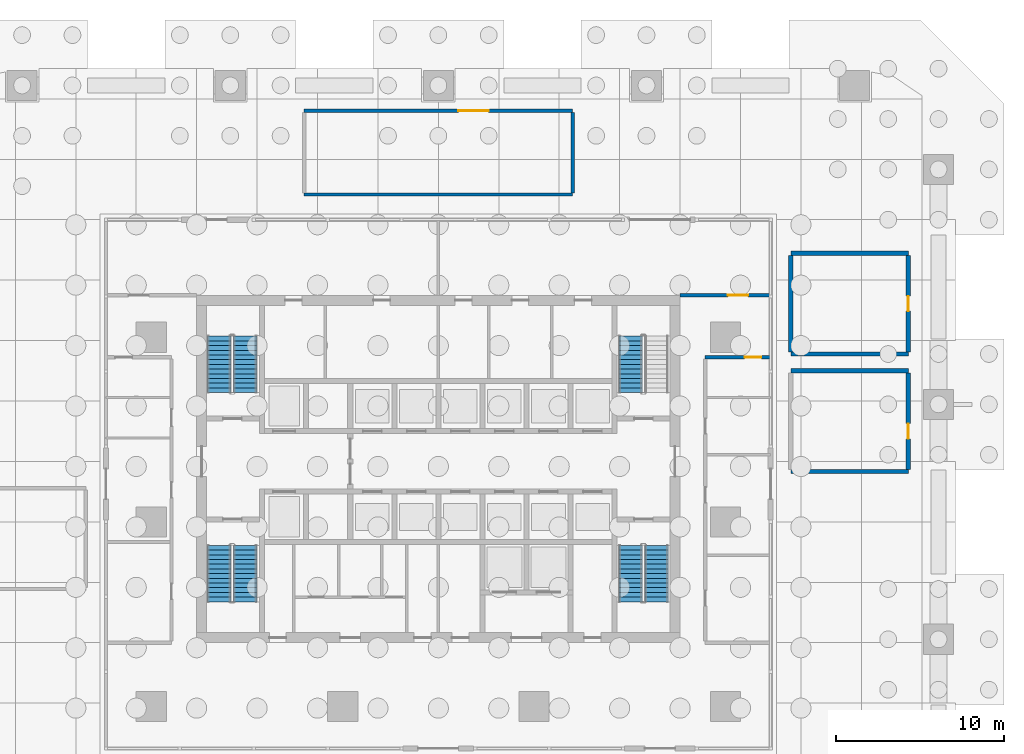
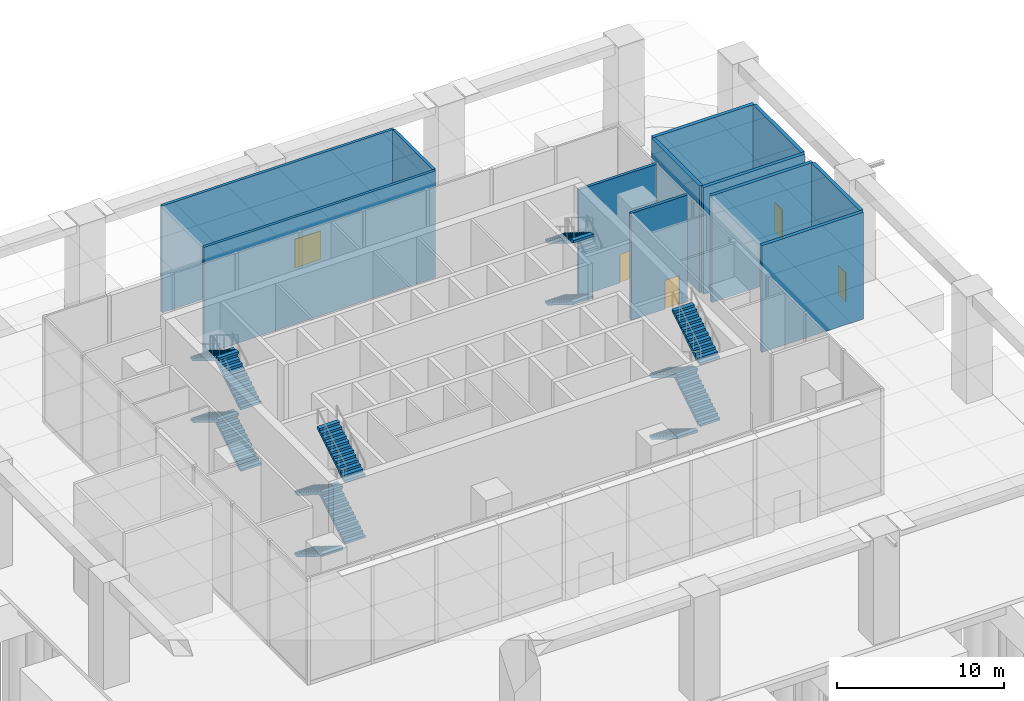
# One storey, part 9 of 18: 14 stair flights, 12 walls, 5 doors, 5 openings, 4 elements without a shape of their own.
"""IFC4 building model written with IfcOpenShell, lengths in metres."""

from ifc_helpers import new_model, si_unit, direction, frame, frame_2d, origin, place, context, subcontext, project, spatial, polyline, rectangle, outline, extrude, material, layer, layer_set, type_object, element, fill, aggregate, save


model = new_model("IFC4")

# Units and contexts
model_context = context("Model", 3, precision=1e-05, world=origin(), true_north=direction((0.0, 1.0)))
body_context = subcontext(model_context, "Body", "Model", "MODEL_VIEW")
ifc_project = project(units=[si_unit("LENGTHUNIT", "METRE"), si_unit("AREAUNIT", "SQUARE_METRE"), si_unit("VOLUMEUNIT", "CUBIC_METRE"), si_unit("PLANEANGLEUNIT", "RADIAN"), si_unit("MASSUNIT", "GRAM", prefix="KILO")], contexts=[model_context])

# Site, building, storey
site_placement = place(None, origin())
site = spatial("IfcSite", under=ifc_project, at=site_placement, CompositionType="ELEMENT")
building_placement = place(site_placement, origin())
building = spatial("IfcBuilding", under=site, at=building_placement, Name="Mopane Tessera Tower", CompositionType="ELEMENT")
storey_placement = place(building_placement, origin())
storey = spatial("IfcBuildingStorey", under=building, at=storey_placement, Name="L00", CompositionType="ELEMENT", Elevation=0.0)

# Wall, opening, door
ifc_material_1 = material(Name="Gypsum board on steel studs, two layers each face, mineral wool infill", Category="steel")
ifc_layer_1 = layer(ifc_material_1, 0.199951171875)
ifc_layer_set_1 = layer_set([ifc_layer_1], Name="Gypsum board on steel studs, two layers each face, mineral wool infill")
wall_type_1 = type_object("IfcWallType", Name="Gypsum board corridor wall 200, rated EI 60", PredefinedType="PARTITIONING", material=ifc_layer_set_1)
wall_1_placement = place(storey_placement, frame((15.89990234375, 9.800048828125, 0.0), z_axis=(0.0, 0.0, 1.0), x_axis=(1.0, 0.0, 0.0)))
wall_1 = element("IfcWall", 1, at=wall_1_placement, inside=storey, type_object=wall_type_1, Name="Partition L00:013", PredefinedType="PARTITIONING", context=body_context, shape_type="SweptSolid", body=[
    extrude(rectangle(XDim=3.900146484375, YDim=0.199951171875, at=frame_2d((1.9501953125, 0.0))), origin(), (0.0, 0.0, 1.0), 7.800048828125),
])
opening_1_placement = place(wall_1_placement, frame((2.35009765625, 0.0, 0.0)))
opening_1 = element("IfcOpeningElement", 2, at=opening_1_placement, cuts=wall_1, Name="Opening L00-03", PredefinedType="OPENING", context=body_context, shape_type="SweptSolid", body=[
    extrude(rectangle(XDim=1.0, YDim=2.10009765625, at=frame_2d((0.5, 1.050048828125))), frame((0.0, 0.112060546875, 0.0), z_axis=(0.0, -1.0, 0.0), x_axis=(1.0, 0.0, 0.0)), (0.0, 0.0, 1.0), 0.223876953125),
])
ifc_material_2 = material(Name="Timber veneered steel-framed fire door", Category="steel")
door_type_1 = type_object("IfcDoorType", Name="Fire door FD60 1000 x 2100", OperationType="SINGLE_SWING_LEFT", PredefinedType="DOOR", material=ifc_material_2)
door_1_placement = place(opening_1_placement, origin())
door_1 = element("IfcDoor", 3, at=door_1_placement, inside=storey, type_object=door_type_1, Name="Door L00-03", ObjectType="D12A", OperationType="SINGLE_SWING_LEFT", OverallHeight=2.10009765625, OverallWidth=1.0, PredefinedType="DOOR", context=body_context, shape_type="SweptSolid", body=[
    extrude(rectangle(XDim=1.0, YDim=2.10009765625, at=frame_2d((0.5, 1.050048828125))), frame((0.0, 0.02490234375, 0.0), z_axis=(0.0, -1.0, 0.0), x_axis=(1.0, 0.0, 0.0)), (0.0, 0.0, 1.0), 0.050048828125),
])
fill(opening_1, door_1)

wall_2_placement = place(storey_placement, frame((14.39990234375, 13.5, 0.0), z_axis=(0.0, 0.0, 1.0), x_axis=(1.0, 0.0, 0.0)))
wall_2 = element("IfcWall", 4, at=wall_2_placement, inside=storey, type_object=wall_type_1, Name="Partition L00:016", PredefinedType="PARTITIONING", context=body_context, shape_type="SweptSolid", body=[
    extrude(rectangle(XDim=5.400146484375, YDim=0.199951171875, at=frame_2d((2.7001953125, 0.0))), origin(), (0.0, 0.0, 1.0), 7.800048828125),
])
opening_2_placement = place(wall_2_placement, frame((2.85009765625, 0.0, 0.0)))
opening_2 = element("IfcOpeningElement", 5, at=opening_2_placement, cuts=wall_2, Name="Opening L00-09", PredefinedType="OPENING", context=body_context, shape_type="SweptSolid", body=[
    extrude(rectangle(XDim=1.199951171875, YDim=2.10009765625, at=frame_2d((0.60009765625, 1.050048828125))), frame((0.0, 0.112060546875, 0.0), z_axis=(0.0, -1.0, 0.0), x_axis=(1.0, 0.0, 0.0)), (0.0, 0.0, 1.0), 0.223876953125),
])
ifc_material_3 = material(Name="Timber veneered steel-framed fire door", Category="steel")
door_type_2 = type_object("IfcDoorType", Name="Fire door FD60 1200 x 2100", OperationType="SINGLE_SWING_LEFT", PredefinedType="DOOR", material=ifc_material_3)
door_2_placement = place(opening_2_placement, origin())
door_2 = element("IfcDoor", 6, at=door_2_placement, inside=storey, type_object=door_type_2, Name="Door L00-09", ObjectType="D15A", OperationType="SINGLE_SWING_RIGHT", OverallHeight=2.10009765625, OverallWidth=1.199951171875, PredefinedType="DOOR", context=body_context, shape_type="SweptSolid", body=[
    extrude(rectangle(XDim=1.199951171875, YDim=2.10009765625, at=frame_2d((0.60009765625, 1.050048828125))), frame((0.0, 0.02490234375, 0.0), z_axis=(0.0, -1.0, 0.0), x_axis=(1.0, 0.0, 0.0)), (0.0, 0.0, 1.0), 0.050048828125),
])
fill(opening_2, door_2)

# Wall
wall_3_placement = place(storey_placement, frame((-8.0, 19.5, 0.0), z_axis=(0.0, 0.0, 1.0), x_axis=(1.0, 0.0, 0.0)))
element("IfcWall", 7, at=wall_3_placement, inside=storey, type_object=wall_type_1, Name="Partition L00:018", PredefinedType="PARTITIONING", context=body_context, shape_type="SweptSolid", body=[
    extrude(rectangle(XDim=16.0, YDim=0.199951171875, at=frame_2d((8.0, 0.0))), origin(), (0.0, 0.0, 1.0), 7.800048828125),
])

# Wall, opening, door
wall_4_placement = place(storey_placement, frame((-8.0, 24.5, 0.0), z_axis=(0.0, 0.0, 1.0), x_axis=(1.0, 0.0, 0.0)))
wall_4 = element("IfcWall", 8, at=wall_4_placement, inside=storey, type_object=wall_type_1, Name="Partition L00:019", PredefinedType="PARTITIONING", context=body_context, shape_type="SweptSolid", body=[
    extrude(rectangle(XDim=16.0, YDim=0.199951171875, at=frame_2d((8.0, 0.0))), origin(), (0.0, 0.0, 1.0), 7.800048828125),
])
opening_3_placement = place(wall_4_placement, frame((9.199951171875, 0.0, 0.0)))
opening_3 = element("IfcOpeningElement", 9, at=opening_3_placement, cuts=wall_4, Name="Opening L00-08", PredefinedType="OPENING", context=body_context, shape_type="SweptSolid", body=[
    extrude(rectangle(XDim=1.800048828125, YDim=2.10009765625, at=frame_2d((0.89990234375, 1.050048828125))), frame((0.0, 0.112060546875, 0.0), z_axis=(0.0, -1.0, 0.0), x_axis=(1.0, 0.0, 0.0)), (0.0, 0.0, 1.0), 0.223876953125),
])
ifc_material_4 = material(Name="Timber veneered steel-framed fire door", Category="steel")
door_type_3 = type_object("IfcDoorType", Name="Fire door pair FD60 1800 x 2100", OperationType="DOUBLE_DOOR_SINGLE_SWING", PredefinedType="DOOR", material=ifc_material_4)
door_3_placement = place(opening_3_placement, origin())
door_3 = element("IfcDoor", 10, at=door_3_placement, inside=storey, type_object=door_type_3, Name="Door L00-08", ObjectType="D20A", OperationType="DOUBLE_DOOR_SINGLE_SWING", OverallHeight=2.10009765625, OverallWidth=1.800048828125, PredefinedType="DOOR", context=body_context, shape_type="SweptSolid", body=[
    extrude(rectangle(XDim=1.800048828125, YDim=2.10009765625, at=frame_2d((0.89990234375, 1.050048828125))), frame((0.0, 0.02490234375, 0.0), z_axis=(0.0, -1.0, 0.0), x_axis=(1.0, 0.0, 0.0)), (0.0, 0.0, 1.0), 0.050048828125),
])
fill(opening_3, door_3)

# Walls
wall_5_placement = place(storey_placement, frame((8.0, 19.60009765625, 0.0), z_axis=(0.0, 0.0, 1.0), x_axis=(0.0, 1.0, 0.0)))
element("IfcWall", 11, at=wall_5_placement, inside=storey, type_object=wall_type_1, Name="Partition L00:025", PredefinedType="PARTITIONING", context=body_context, shape_type="SweptSolid", body=[
    extrude(rectangle(XDim=4.7998046875, YDim=0.199951171875, at=frame_2d((2.39990234375, 0.0))), origin(), (0.0, 0.0, 1.0), 7.800048828125),
])
ifc_material_5 = material(Name="Plastered concrete blockwork C20/25", Category="masonry")
ifc_layer_2 = layer(ifc_material_5, 0.25)
ifc_layer_set_2 = layer_set([ifc_layer_2], Name="Plastered concrete blockwork C20/25")
wall_type_2 = type_object("IfcWallType", Name="Plastered blockwork wall 250, rated EI 120", PredefinedType="PARTITIONING", material=ifc_layer_set_2)
for number, where, z_axis, x_axis, name in (
    (12, (21.0, 3.0, 0.0), (0.0, 0.0, 1.0), (1.0, 0.0, 0.0), "Partition L00:006"),
    (13, (21.0, 9.0, 0.0), (0.0, 0.0, 1.0), (1.0, 0.0, 0.0), "Partition L00:011"),
    (14, (21.0, 10.0, 0.0), (0.0, 0.0, 1.0), (1.0, 0.0, 0.0), "Partition L00:014"),
    (15, (21.0, 16.0, 0.0), (0.0, 0.0, 1.0), (1.0, 0.0, 0.0), "Partition L00:017"),
):
    element("IfcWall", number, at=place(storey_placement, frame(where, z_axis=z_axis, x_axis=x_axis)), inside=storey, type_object=wall_type_2, Name=name, PredefinedType="PARTITIONING", context=body_context, shape_type="SweptSolid", body=[
        extrude(rectangle(XDim=7.0, YDim=0.25, at=frame_2d((3.5, 0.0))), origin(), (0.0, 0.0, 1.0), 7.800048828125),
    ])
wall_6_placement = place(storey_placement, frame((21.0, 10.125, 0.0), z_axis=(0.0, 0.0, 1.0), x_axis=(0.0, 1.0, 0.0)))
element("IfcWall", 16, at=wall_6_placement, inside=storey, type_object=wall_type_2, Name="Partition L00:028", PredefinedType="PARTITIONING", context=body_context, shape_type="SweptSolid", body=[
    extrude(rectangle(XDim=5.75, YDim=0.25, at=frame_2d((2.875, 0.0))), origin(), (0.0, 0.0, 1.0), 7.800048828125),
])

# Wall, opening, door
wall_7_placement = place(storey_placement, frame((28.0, 3.125, 0.0), z_axis=(0.0, 0.0, 1.0), x_axis=(0.0, 1.0, 0.0)))
wall_7 = element("IfcWall", 17, at=wall_7_placement, inside=storey, type_object=wall_type_2, Name="Partition L00:029", PredefinedType="PARTITIONING", context=body_context, shape_type="SweptSolid", body=[
    extrude(rectangle(XDim=5.75, YDim=0.25, at=frame_2d((2.875, 0.0))), origin(), (0.0, 0.0, 1.0), 7.800048828125),
])
opening_4_placement = place(wall_7_placement, frame((1.824951171875, 0.0, 0.0)))
opening_4 = element("IfcOpeningElement", 18, at=opening_4_placement, cuts=wall_7, Name="Opening L00-13", PredefinedType="OPENING", context=body_context, shape_type="SweptSolid", body=[
    extrude(rectangle(XDim=0.89990234375, YDim=2.10009765625, at=frame_2d((0.449951171875, 1.050048828125))), frame((0.0, 0.136962890625, 0.0), z_axis=(0.0, -1.0, 0.0), x_axis=(1.0, 0.0, 0.0)), (0.0, 0.0, 1.0), 0.27392578125),
])
ifc_material_6 = material(Name="Timber veneered steel-framed fire door", Category="steel")
door_type_4 = type_object("IfcDoorType", Name="Fire door FD120 900 x 2100", OperationType="SINGLE_SWING_LEFT", PredefinedType="DOOR", material=ifc_material_6)
door_4_placement = place(opening_4_placement, origin())
door_4 = element("IfcDoor", 19, at=door_4_placement, inside=storey, type_object=door_type_4, Name="Door L00-13", ObjectType="D10B", OperationType="SINGLE_SWING_LEFT", OverallHeight=2.10009765625, OverallWidth=0.89990234375, PredefinedType="DOOR", context=body_context, shape_type="SweptSolid", body=[
    extrude(rectangle(XDim=0.89990234375, YDim=2.10009765625, at=frame_2d((0.449951171875, 1.050048828125))), frame((0.0, 0.02490234375, 0.0), z_axis=(0.0, -1.0, 0.0), x_axis=(1.0, 0.0, 0.0)), (0.0, 0.0, 1.0), 0.050048828125),
])
fill(opening_4, door_4)

wall_8_placement = place(storey_placement, frame((28.0, 10.125, 0.0), z_axis=(0.0, 0.0, 1.0), x_axis=(0.0, 1.0, 0.0)))
wall_8 = element("IfcWall", 20, at=wall_8_placement, inside=storey, type_object=wall_type_2, Name="Partition L00:030", PredefinedType="PARTITIONING", context=body_context, shape_type="SweptSolid", body=[
    extrude(rectangle(XDim=5.75, YDim=0.25, at=frame_2d((2.875, 0.0))), origin(), (0.0, 0.0, 1.0), 7.800048828125),
])
opening_5_placement = place(wall_8_placement, frame((2.425048828125, 0.0, 0.0)))
opening_5 = element("IfcOpeningElement", 21, at=opening_5_placement, cuts=wall_8, Name="Opening L00-11", PredefinedType="OPENING", context=body_context, shape_type="SweptSolid", body=[
    extrude(rectangle(XDim=0.89990234375, YDim=2.10009765625, at=frame_2d((0.449951171875, 1.050048828125))), frame((0.0, 0.136962890625, 0.0), z_axis=(0.0, -1.0, 0.0), x_axis=(1.0, 0.0, 0.0)), (0.0, 0.0, 1.0), 0.27392578125),
])
door_5_placement = place(opening_5_placement, origin())
door_5 = element("IfcDoor", 22, at=door_5_placement, inside=storey, type_object=door_type_4, Name="Door L00-11", ObjectType="D10B", OperationType="SINGLE_SWING_LEFT", OverallHeight=2.10009765625, OverallWidth=0.89990234375, PredefinedType="DOOR", context=body_context, shape_type="SweptSolid", body=[
    extrude(rectangle(XDim=0.89990234375, YDim=2.10009765625, at=frame_2d((0.449951171875, 1.050048828125))), frame((0.0, 0.02490234375, 0.0), z_axis=(0.0, -1.0, 0.0), x_axis=(1.0, 0.0, 0.0)), (0.0, 0.0, 1.0), 0.050048828125),
])
fill(opening_5, door_5)

# Stair, stair flights
ifc_material_7 = material(Name="Concrete C50/60", Category="concrete")
stair_type = type_object("IfcStairType", Name="Escape stair 1400 mm, riser 173 mm", PredefinedType="HALF_TURN_STAIR", material=ifc_material_7)
stair_1_placement = place(storey_placement, origin())
stair_1 = element("IfcStair", 23, at=stair_1_placement, inside=storey, type_object=stair_type, Name="L00 Escape stair south-west", PredefinedType="HALF_TURN_STAIR")
ifc_material_8 = material(Name="Concrete C50/60", Category="concrete")
stair_flight_type = type_object("IfcStairFlightType", Name="Escape stair flight 1400 mm", PredefinedType="STRAIGHT", material=ifc_material_8)
stair_flight_1_placement = place(storey_placement, frame((-13.050048828125, -1.39990234375, 0.0), z_axis=(0.0, 0.0, 1.0), x_axis=(0.0, -1.0, 0.0)))
stair_flight_1 = element("IfcStairFlight", 24, at=stair_flight_1_placement, type_object=stair_flight_type, Name="ST1 flight 1", NumberOfRisers=13, NumberOfTreads=12, PredefinedType="STRAIGHT", RiserHeight=0.173076923, TreadLength=0.28, context=body_context, shape_type="SweptSolid", body=[
    extrude(outline(polyline([(0.0, 0.0), (0.0, 0.173095703125), (0.280029296875, 0.173095703125), (0.280029296875, 0.34619140625), (0.56005859375, 0.34619140625), (0.56005859375, 0.519287109375), (0.840087890625, 0.519287109375), (0.840087890625, 0.6923828125), (1.1201171875, 0.6923828125), (1.1201171875, 0.865478515625), (1.39990234375, 0.865478515625), (1.39990234375, 1.03857421875), (1.679931640625, 1.03857421875), (1.679931640625, 1.21142578125), (1.9599609375, 1.21142578125), (1.9599609375, 1.384521484375), (2.239990234375, 1.384521484375), (2.239990234375, 1.5576171875), (2.52001953125, 1.5576171875), (2.52001953125, 1.730712890625), (2.800048828125, 1.730712890625), (2.800048828125, 1.90380859375), (3.080078125, 1.90380859375), (3.080078125, 2.076904296875), (3.360107421875, 2.076904296875), (3.360107421875, 2.25), (3.360107421875, 1.900634765625), (0.28515625, 0.0), (0.0, 0.0)])), frame((0.0, 0.699951171875, 0.0), z_axis=(0.0, -1.0, 0.0), x_axis=(1.0, 0.0, 0.0)), (0.0, 0.0, 1.0), 1.39990234375),
])
stair_flight_2_placement = place(storey_placement, frame((-11.5, -4.760009765625, 2.25), z_axis=(0.0, 0.0, 1.0), x_axis=(0.0, 1.0, 0.0)))
stair_flight_2 = element("IfcStairFlight", 25, at=stair_flight_2_placement, type_object=stair_flight_type, Name="ST1 flight 2", NumberOfRisers=13, NumberOfTreads=12, PredefinedType="STRAIGHT", RiserHeight=0.173076923, TreadLength=0.28, context=body_context, shape_type="SweptSolid", body=[
    extrude(outline(polyline([(0.0, 0.0), (0.0, 0.173095703125), (0.280029296875, 0.173095703125), (0.280029296875, 0.34619140625), (0.56005859375, 0.34619140625), (0.56005859375, 0.519287109375), (0.840087890625, 0.519287109375), (0.840087890625, 0.6923828125), (1.1201171875, 0.6923828125), (1.1201171875, 0.865478515625), (1.39990234375, 0.865478515625), (1.39990234375, 1.03857421875), (1.679931640625, 1.03857421875), (1.679931640625, 1.21142578125), (1.9599609375, 1.21142578125), (1.9599609375, 1.384521484375), (2.239990234375, 1.384521484375), (2.239990234375, 1.5576171875), (2.52001953125, 1.5576171875), (2.52001953125, 1.730712890625), (2.800048828125, 1.730712890625), (2.800048828125, 1.90380859375), (3.080078125, 1.90380859375), (3.080078125, 2.076904296875), (3.360107421875, 2.076904296875), (3.360107421875, 2.25), (3.360107421875, 1.900634765625), (0.28515625, 0.0), (0.0, 0.0)])), frame((0.0, 0.699951171875, 0.0), z_axis=(0.0, -1.0, 0.0), x_axis=(1.0, 0.0, 0.0)), (0.0, 0.0, 1.0), 1.39990234375),
])
stair_flight_3_placement = place(storey_placement, frame((-13.050048828125, -1.39990234375, 4.5), z_axis=(0.0, 0.0, 1.0), x_axis=(0.0, -1.0, 0.0)))
stair_flight_3 = element("IfcStairFlight", 26, at=stair_flight_3_placement, type_object=stair_flight_type, Name="ST1 flight 3", NumberOfRisers=13, NumberOfTreads=12, PredefinedType="STRAIGHT", RiserHeight=0.173076923, TreadLength=0.28, context=body_context, shape_type="SweptSolid", body=[
    extrude(outline(polyline([(0.0, 0.0), (0.0, 0.173095703125), (0.280029296875, 0.173095703125), (0.280029296875, 0.34619140625), (0.56005859375, 0.34619140625), (0.56005859375, 0.519287109375), (0.840087890625, 0.519287109375), (0.840087890625, 0.6923828125), (1.1201171875, 0.6923828125), (1.1201171875, 0.865478515625), (1.39990234375, 0.865478515625), (1.39990234375, 1.03857421875), (1.679931640625, 1.03857421875), (1.679931640625, 1.21142578125), (1.9599609375, 1.21142578125), (1.9599609375, 1.384521484375), (2.239990234375, 1.384521484375), (2.239990234375, 1.5576171875), (2.52001953125, 1.5576171875), (2.52001953125, 1.730712890625), (2.800048828125, 1.730712890625), (2.800048828125, 1.90380859375), (3.080078125, 1.90380859375), (3.080078125, 2.076904296875), (3.360107421875, 2.076904296875), (3.360107421875, 2.25), (3.360107421875, 1.900634765625), (0.28515625, 0.0), (0.0, 0.0)])), frame((0.0, 0.699951171875, 0.0), z_axis=(0.0, -1.0, 0.0), x_axis=(1.0, 0.0, 0.0)), (0.0, 0.0, 1.0), 1.39990234375),
])
stair_flight_4_placement = place(storey_placement, frame((-11.5, -4.760009765625, 6.75), z_axis=(0.0, 0.0, 1.0), x_axis=(0.0, 1.0, 0.0)))
stair_flight_4 = element("IfcStairFlight", 27, at=stair_flight_4_placement, type_object=stair_flight_type, Name="ST1 flight 4", NumberOfRisers=13, NumberOfTreads=12, PredefinedType="STRAIGHT", RiserHeight=0.173076923, TreadLength=0.28, context=body_context, shape_type="SweptSolid", body=[
    extrude(outline(polyline([(0.0, 0.0), (0.0, 0.173095703125), (0.280029296875, 0.173095703125), (0.280029296875, 0.34619140625), (0.56005859375, 0.34619140625), (0.56005859375, 0.519287109375), (0.840087890625, 0.519287109375), (0.840087890625, 0.6923828125), (1.1201171875, 0.6923828125), (1.1201171875, 0.865478515625), (1.39990234375, 0.865478515625), (1.39990234375, 1.03857421875), (1.679931640625, 1.03857421875), (1.679931640625, 1.21142578125), (1.9599609375, 1.21142578125), (1.9599609375, 1.384521484375), (2.239990234375, 1.384521484375), (2.239990234375, 1.5576171875), (2.52001953125, 1.5576171875), (2.52001953125, 1.730712890625), (2.800048828125, 1.730712890625), (2.800048828125, 1.90380859375), (3.080078125, 1.90380859375), (3.080078125, 2.076904296875), (3.360107421875, 2.076904296875), (3.360107421875, 2.25), (3.360107421875, 1.900634765625), (0.28515625, 0.0), (0.0, 0.0)])), frame((0.0, 0.699951171875, 0.0), z_axis=(0.0, -1.0, 0.0), x_axis=(1.0, 0.0, 0.0)), (0.0, 0.0, 1.0), 1.39990234375),
])
aggregate(stair_1, [stair_flight_1, stair_flight_2, stair_flight_3, stair_flight_4])

stair_2_placement = place(storey_placement, origin())
stair_2 = element("IfcStair", 28, at=stair_2_placement, inside=storey, type_object=stair_type, Name="L00 Escape stair north-west", PredefinedType="HALF_TURN_STAIR")
stair_flight_5_placement = place(storey_placement, frame((-11.5, 7.699951171875, 0.0), z_axis=(0.0, 0.0, 1.0), x_axis=(0.0, 1.0, 0.0)))
stair_flight_5 = element("IfcStairFlight", 29, at=stair_flight_5_placement, type_object=stair_flight_type, Name="ST2 flight 1", NumberOfRisers=13, NumberOfTreads=12, PredefinedType="STRAIGHT", RiserHeight=0.173076923, TreadLength=0.28, context=body_context, shape_type="SweptSolid", body=[
    extrude(outline(polyline([(0.0, 0.0), (0.0, 0.173095703125), (0.280029296875, 0.173095703125), (0.280029296875, 0.34619140625), (0.56005859375, 0.34619140625), (0.56005859375, 0.519287109375), (0.840087890625, 0.519287109375), (0.840087890625, 0.6923828125), (1.1201171875, 0.6923828125), (1.1201171875, 0.865478515625), (1.39990234375, 0.865478515625), (1.39990234375, 1.03857421875), (1.679931640625, 1.03857421875), (1.679931640625, 1.21142578125), (1.9599609375, 1.21142578125), (1.9599609375, 1.384521484375), (2.239990234375, 1.384521484375), (2.239990234375, 1.5576171875), (2.52001953125, 1.5576171875), (2.52001953125, 1.730712890625), (2.800048828125, 1.730712890625), (2.800048828125, 1.90380859375), (3.080078125, 1.90380859375), (3.080078125, 2.076904296875), (3.360107421875, 2.076904296875), (3.360107421875, 2.25), (3.360107421875, 1.900634765625), (0.28515625, 0.0), (0.0, 0.0)])), frame((0.0, 0.699951171875, 0.0), z_axis=(0.0, -1.0, 0.0), x_axis=(1.0, 0.0, 0.0)), (0.0, 0.0, 1.0), 1.39990234375),
])
stair_flight_6_placement = place(storey_placement, frame((-13.050048828125, 11.06005859375, 2.25), z_axis=(0.0, 0.0, 1.0), x_axis=(0.0, -1.0, 0.0)))
stair_flight_6 = element("IfcStairFlight", 30, at=stair_flight_6_placement, type_object=stair_flight_type, Name="ST2 flight 2", NumberOfRisers=13, NumberOfTreads=12, PredefinedType="STRAIGHT", RiserHeight=0.173076923, TreadLength=0.28, context=body_context, shape_type="SweptSolid", body=[
    extrude(outline(polyline([(0.0, 0.0), (0.0, 0.173095703125), (0.280029296875, 0.173095703125), (0.280029296875, 0.34619140625), (0.56005859375, 0.34619140625), (0.56005859375, 0.519287109375), (0.840087890625, 0.519287109375), (0.840087890625, 0.6923828125), (1.1201171875, 0.6923828125), (1.1201171875, 0.865478515625), (1.39990234375, 0.865478515625), (1.39990234375, 1.03857421875), (1.679931640625, 1.03857421875), (1.679931640625, 1.21142578125), (1.9599609375, 1.21142578125), (1.9599609375, 1.384521484375), (2.239990234375, 1.384521484375), (2.239990234375, 1.5576171875), (2.52001953125, 1.5576171875), (2.52001953125, 1.730712890625), (2.800048828125, 1.730712890625), (2.800048828125, 1.90380859375), (3.080078125, 1.90380859375), (3.080078125, 2.076904296875), (3.360107421875, 2.076904296875), (3.360107421875, 2.25), (3.360107421875, 1.900634765625), (0.28515625, 0.0), (0.0, 0.0)])), frame((0.0, 0.699951171875, 0.0), z_axis=(0.0, -1.0, 0.0), x_axis=(1.0, 0.0, 0.0)), (0.0, 0.0, 1.0), 1.39990234375),
])
stair_flight_7_placement = place(storey_placement, frame((-11.5, 7.699951171875, 4.5), z_axis=(0.0, 0.0, 1.0), x_axis=(0.0, 1.0, 0.0)))
stair_flight_7 = element("IfcStairFlight", 31, at=stair_flight_7_placement, type_object=stair_flight_type, Name="ST2 flight 3", NumberOfRisers=13, NumberOfTreads=12, PredefinedType="STRAIGHT", RiserHeight=0.173076923, TreadLength=0.28, context=body_context, shape_type="SweptSolid", body=[
    extrude(outline(polyline([(0.0, 0.0), (0.0, 0.173095703125), (0.280029296875, 0.173095703125), (0.280029296875, 0.34619140625), (0.56005859375, 0.34619140625), (0.56005859375, 0.519287109375), (0.840087890625, 0.519287109375), (0.840087890625, 0.6923828125), (1.1201171875, 0.6923828125), (1.1201171875, 0.865478515625), (1.39990234375, 0.865478515625), (1.39990234375, 1.03857421875), (1.679931640625, 1.03857421875), (1.679931640625, 1.21142578125), (1.9599609375, 1.21142578125), (1.9599609375, 1.384521484375), (2.239990234375, 1.384521484375), (2.239990234375, 1.5576171875), (2.52001953125, 1.5576171875), (2.52001953125, 1.730712890625), (2.800048828125, 1.730712890625), (2.800048828125, 1.90380859375), (3.080078125, 1.90380859375), (3.080078125, 2.076904296875), (3.360107421875, 2.076904296875), (3.360107421875, 2.25), (3.360107421875, 1.900634765625), (0.28515625, 0.0), (0.0, 0.0)])), frame((0.0, 0.699951171875, 0.0), z_axis=(0.0, -1.0, 0.0), x_axis=(1.0, 0.0, 0.0)), (0.0, 0.0, 1.0), 1.39990234375),
])
stair_flight_8_placement = place(storey_placement, frame((-13.050048828125, 11.06005859375, 6.75), z_axis=(0.0, 0.0, 1.0), x_axis=(0.0, -1.0, 0.0)))
stair_flight_8 = element("IfcStairFlight", 32, at=stair_flight_8_placement, type_object=stair_flight_type, Name="ST2 flight 4", NumberOfRisers=13, NumberOfTreads=12, PredefinedType="STRAIGHT", RiserHeight=0.173076923, TreadLength=0.28, context=body_context, shape_type="SweptSolid", body=[
    extrude(outline(polyline([(0.0, 0.0), (0.0, 0.173095703125), (0.280029296875, 0.173095703125), (0.280029296875, 0.34619140625), (0.56005859375, 0.34619140625), (0.56005859375, 0.519287109375), (0.840087890625, 0.519287109375), (0.840087890625, 0.6923828125), (1.1201171875, 0.6923828125), (1.1201171875, 0.865478515625), (1.39990234375, 0.865478515625), (1.39990234375, 1.03857421875), (1.679931640625, 1.03857421875), (1.679931640625, 1.21142578125), (1.9599609375, 1.21142578125), (1.9599609375, 1.384521484375), (2.239990234375, 1.384521484375), (2.239990234375, 1.5576171875), (2.52001953125, 1.5576171875), (2.52001953125, 1.730712890625), (2.800048828125, 1.730712890625), (2.800048828125, 1.90380859375), (3.080078125, 1.90380859375), (3.080078125, 2.076904296875), (3.360107421875, 2.076904296875), (3.360107421875, 2.25), (3.360107421875, 1.900634765625), (0.28515625, 0.0), (0.0, 0.0)])), frame((0.0, 0.699951171875, 0.0), z_axis=(0.0, -1.0, 0.0), x_axis=(1.0, 0.0, 0.0)), (0.0, 0.0, 1.0), 1.39990234375),
])
aggregate(stair_2, [stair_flight_5, stair_flight_6, stair_flight_7, stair_flight_8])

stair_3_placement = place(storey_placement, origin())
stair_3 = element("IfcStair", 33, at=stair_3_placement, inside=storey, type_object=stair_type, Name="L00 Escape stair south-east", PredefinedType="HALF_TURN_STAIR")
stair_flight_9_placement = place(storey_placement, frame((11.449951171875, -1.39990234375, 0.0), z_axis=(0.0, 0.0, 1.0), x_axis=(0.0, -1.0, 0.0)))
stair_flight_9 = element("IfcStairFlight", 34, at=stair_flight_9_placement, type_object=stair_flight_type, Name="ST3 flight 1", NumberOfRisers=13, NumberOfTreads=12, PredefinedType="STRAIGHT", RiserHeight=0.173076923, TreadLength=0.28, context=body_context, shape_type="SweptSolid", body=[
    extrude(outline(polyline([(0.0, 0.0), (0.0, 0.173095703125), (0.280029296875, 0.173095703125), (0.280029296875, 0.34619140625), (0.56005859375, 0.34619140625), (0.56005859375, 0.519287109375), (0.840087890625, 0.519287109375), (0.840087890625, 0.6923828125), (1.1201171875, 0.6923828125), (1.1201171875, 0.865478515625), (1.39990234375, 0.865478515625), (1.39990234375, 1.03857421875), (1.679931640625, 1.03857421875), (1.679931640625, 1.21142578125), (1.9599609375, 1.21142578125), (1.9599609375, 1.384521484375), (2.239990234375, 1.384521484375), (2.239990234375, 1.5576171875), (2.52001953125, 1.5576171875), (2.52001953125, 1.730712890625), (2.800048828125, 1.730712890625), (2.800048828125, 1.90380859375), (3.080078125, 1.90380859375), (3.080078125, 2.076904296875), (3.360107421875, 2.076904296875), (3.360107421875, 2.25), (3.360107421875, 1.900634765625), (0.28515625, 0.0), (0.0, 0.0)])), frame((0.0, 0.699951171875, 0.0), z_axis=(0.0, -1.0, 0.0), x_axis=(1.0, 0.0, 0.0)), (0.0, 0.0, 1.0), 1.39990234375),
])
stair_flight_10_placement = place(storey_placement, frame((13.0, -4.760009765625, 2.25), z_axis=(0.0, 0.0, 1.0), x_axis=(0.0, 1.0, 0.0)))
stair_flight_10 = element("IfcStairFlight", 35, at=stair_flight_10_placement, type_object=stair_flight_type, Name="ST3 flight 2", NumberOfRisers=13, NumberOfTreads=12, PredefinedType="STRAIGHT", RiserHeight=0.173076923, TreadLength=0.28, context=body_context, shape_type="SweptSolid", body=[
    extrude(outline(polyline([(0.0, 0.0), (0.0, 0.173095703125), (0.280029296875, 0.173095703125), (0.280029296875, 0.34619140625), (0.56005859375, 0.34619140625), (0.56005859375, 0.519287109375), (0.840087890625, 0.519287109375), (0.840087890625, 0.6923828125), (1.1201171875, 0.6923828125), (1.1201171875, 0.865478515625), (1.39990234375, 0.865478515625), (1.39990234375, 1.03857421875), (1.679931640625, 1.03857421875), (1.679931640625, 1.21142578125), (1.9599609375, 1.21142578125), (1.9599609375, 1.384521484375), (2.239990234375, 1.384521484375), (2.239990234375, 1.5576171875), (2.52001953125, 1.5576171875), (2.52001953125, 1.730712890625), (2.800048828125, 1.730712890625), (2.800048828125, 1.90380859375), (3.080078125, 1.90380859375), (3.080078125, 2.076904296875), (3.360107421875, 2.076904296875), (3.360107421875, 2.25), (3.360107421875, 1.900634765625), (0.28515625, 0.0), (0.0, 0.0)])), frame((0.0, 0.699951171875, 0.0), z_axis=(0.0, -1.0, 0.0), x_axis=(1.0, 0.0, 0.0)), (0.0, 0.0, 1.0), 1.39990234375),
])
stair_flight_11_placement = place(storey_placement, frame((11.449951171875, -1.39990234375, 4.5), z_axis=(0.0, 0.0, 1.0), x_axis=(0.0, -1.0, 0.0)))
stair_flight_11 = element("IfcStairFlight", 36, at=stair_flight_11_placement, type_object=stair_flight_type, Name="ST3 flight 3", NumberOfRisers=13, NumberOfTreads=12, PredefinedType="STRAIGHT", RiserHeight=0.173076923, TreadLength=0.28, context=body_context, shape_type="SweptSolid", body=[
    extrude(outline(polyline([(0.0, 0.0), (0.0, 0.173095703125), (0.280029296875, 0.173095703125), (0.280029296875, 0.34619140625), (0.56005859375, 0.34619140625), (0.56005859375, 0.519287109375), (0.840087890625, 0.519287109375), (0.840087890625, 0.6923828125), (1.1201171875, 0.6923828125), (1.1201171875, 0.865478515625), (1.39990234375, 0.865478515625), (1.39990234375, 1.03857421875), (1.679931640625, 1.03857421875), (1.679931640625, 1.21142578125), (1.9599609375, 1.21142578125), (1.9599609375, 1.384521484375), (2.239990234375, 1.384521484375), (2.239990234375, 1.5576171875), (2.52001953125, 1.5576171875), (2.52001953125, 1.730712890625), (2.800048828125, 1.730712890625), (2.800048828125, 1.90380859375), (3.080078125, 1.90380859375), (3.080078125, 2.076904296875), (3.360107421875, 2.076904296875), (3.360107421875, 2.25), (3.360107421875, 1.900634765625), (0.28515625, 0.0), (0.0, 0.0)])), frame((0.0, 0.699951171875, 0.0), z_axis=(0.0, -1.0, 0.0), x_axis=(1.0, 0.0, 0.0)), (0.0, 0.0, 1.0), 1.39990234375),
])
stair_flight_12_placement = place(storey_placement, frame((13.0, -4.760009765625, 6.75), z_axis=(0.0, 0.0, 1.0), x_axis=(0.0, 1.0, 0.0)))
stair_flight_12 = element("IfcStairFlight", 37, at=stair_flight_12_placement, type_object=stair_flight_type, Name="ST3 flight 4", NumberOfRisers=13, NumberOfTreads=12, PredefinedType="STRAIGHT", RiserHeight=0.173076923, TreadLength=0.28, context=body_context, shape_type="SweptSolid", body=[
    extrude(outline(polyline([(0.0, 0.0), (0.0, 0.173095703125), (0.280029296875, 0.173095703125), (0.280029296875, 0.34619140625), (0.56005859375, 0.34619140625), (0.56005859375, 0.519287109375), (0.840087890625, 0.519287109375), (0.840087890625, 0.6923828125), (1.1201171875, 0.6923828125), (1.1201171875, 0.865478515625), (1.39990234375, 0.865478515625), (1.39990234375, 1.03857421875), (1.679931640625, 1.03857421875), (1.679931640625, 1.21142578125), (1.9599609375, 1.21142578125), (1.9599609375, 1.384521484375), (2.239990234375, 1.384521484375), (2.239990234375, 1.5576171875), (2.52001953125, 1.5576171875), (2.52001953125, 1.730712890625), (2.800048828125, 1.730712890625), (2.800048828125, 1.90380859375), (3.080078125, 1.90380859375), (3.080078125, 2.076904296875), (3.360107421875, 2.076904296875), (3.360107421875, 2.25), (3.360107421875, 1.900634765625), (0.28515625, 0.0), (0.0, 0.0)])), frame((0.0, 0.699951171875, 0.0), z_axis=(0.0, -1.0, 0.0), x_axis=(1.0, 0.0, 0.0)), (0.0, 0.0, 1.0), 1.39990234375),
])
aggregate(stair_3, [stair_flight_9, stair_flight_10, stair_flight_11, stair_flight_12])

stair_4_placement = place(storey_placement, origin())
stair_4 = element("IfcStair", 38, at=stair_4_placement, inside=storey, type_object=stair_type, Name="L00 Escape stair north-east", PredefinedType="HALF_TURN_STAIR")
stair_flight_13_placement = place(storey_placement, frame((11.449951171875, 11.06005859375, 2.25), z_axis=(0.0, 0.0, 1.0), x_axis=(0.0, -1.0, 0.0)))
stair_flight_13 = element("IfcStairFlight", 39, at=stair_flight_13_placement, type_object=stair_flight_type, Name="ST4 flight 2", NumberOfRisers=13, NumberOfTreads=12, PredefinedType="STRAIGHT", RiserHeight=0.173076923, TreadLength=0.28, context=body_context, shape_type="SweptSolid", body=[
    extrude(outline(polyline([(0.0, 0.0), (0.0, 0.173095703125), (0.280029296875, 0.173095703125), (0.280029296875, 0.34619140625), (0.56005859375, 0.34619140625), (0.56005859375, 0.519287109375), (0.840087890625, 0.519287109375), (0.840087890625, 0.6923828125), (1.1201171875, 0.6923828125), (1.1201171875, 0.865478515625), (1.39990234375, 0.865478515625), (1.39990234375, 1.03857421875), (1.679931640625, 1.03857421875), (1.679931640625, 1.21142578125), (1.9599609375, 1.21142578125), (1.9599609375, 1.384521484375), (2.239990234375, 1.384521484375), (2.239990234375, 1.5576171875), (2.52001953125, 1.5576171875), (2.52001953125, 1.730712890625), (2.800048828125, 1.730712890625), (2.800048828125, 1.90380859375), (3.080078125, 1.90380859375), (3.080078125, 2.076904296875), (3.360107421875, 2.076904296875), (3.360107421875, 2.25), (3.360107421875, 1.900634765625), (0.28515625, 0.0), (0.0, 0.0)])), frame((0.0, 0.699951171875, 0.0), z_axis=(0.0, -1.0, 0.0), x_axis=(1.0, 0.0, 0.0)), (0.0, 0.0, 1.0), 1.39990234375),
])
stair_flight_14_placement = place(storey_placement, frame((11.449951171875, 11.06005859375, 6.75), z_axis=(0.0, 0.0, 1.0), x_axis=(0.0, -1.0, 0.0)))
stair_flight_14 = element("IfcStairFlight", 40, at=stair_flight_14_placement, type_object=stair_flight_type, Name="ST4 flight 4", NumberOfRisers=13, NumberOfTreads=12, PredefinedType="STRAIGHT", RiserHeight=0.173076923, TreadLength=0.28, context=body_context, shape_type="SweptSolid", body=[
    extrude(outline(polyline([(0.0, 0.0), (0.0, 0.173095703125), (0.280029296875, 0.173095703125), (0.280029296875, 0.34619140625), (0.56005859375, 0.34619140625), (0.56005859375, 0.519287109375), (0.840087890625, 0.519287109375), (0.840087890625, 0.6923828125), (1.1201171875, 0.6923828125), (1.1201171875, 0.865478515625), (1.39990234375, 0.865478515625), (1.39990234375, 1.03857421875), (1.679931640625, 1.03857421875), (1.679931640625, 1.21142578125), (1.9599609375, 1.21142578125), (1.9599609375, 1.384521484375), (2.239990234375, 1.384521484375), (2.239990234375, 1.5576171875), (2.52001953125, 1.5576171875), (2.52001953125, 1.730712890625), (2.800048828125, 1.730712890625), (2.800048828125, 1.90380859375), (3.080078125, 1.90380859375), (3.080078125, 2.076904296875), (3.360107421875, 2.076904296875), (3.360107421875, 2.25), (3.360107421875, 1.900634765625), (0.28515625, 0.0), (0.0, 0.0)])), frame((0.0, 0.699951171875, 0.0), z_axis=(0.0, -1.0, 0.0), x_axis=(1.0, 0.0, 0.0)), (0.0, 0.0, 1.0), 1.39990234375),
])
aggregate(stair_4, [stair_flight_13, stair_flight_14])

save(model, "model.ifc")
